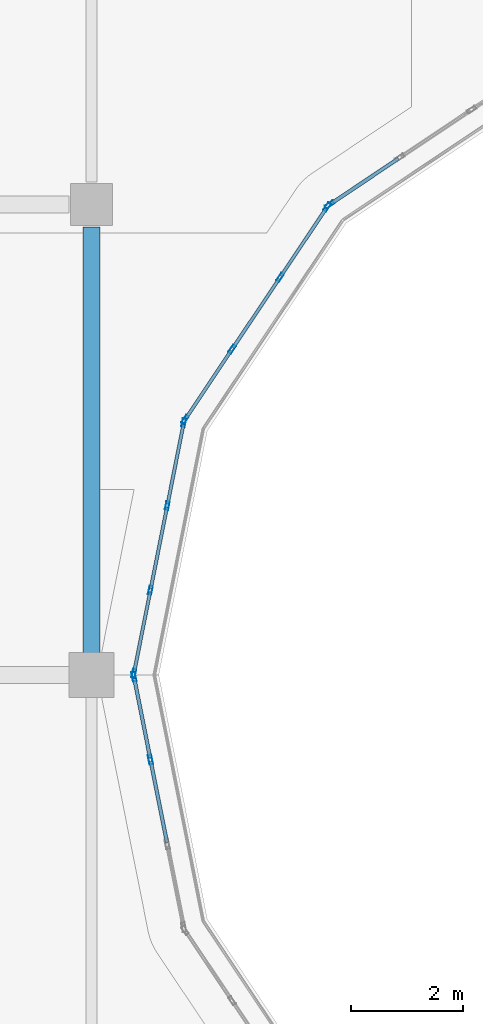
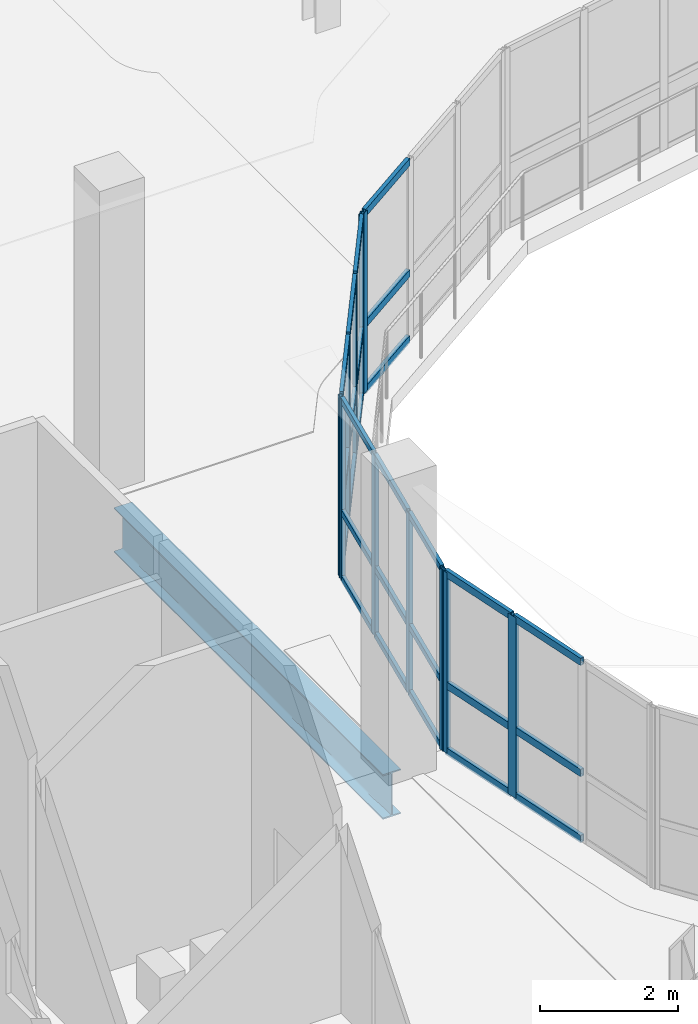
# One storey, part 21 of 110: 38 members, 1 beam, 4 elements without a shape of their own.
"""IFC4 building model written with IfcOpenShell, lengths in metres."""

from ifc_helpers import new_model, si_unit, direction, frame, origin, origin_2d, place, context, subcontext, project, spatial, hollow_rectangle, i_section, extrude, material, layer, layer_set, material_profile, profile_set, type_object, element, aggregate, save


model = new_model("IFC4")

# Units and contexts
model_context = context("Model", 3, precision=1e-05, world=origin(), true_north=direction((0.0, 1.0)))
body_context = subcontext(model_context, "Body", "Model", "MODEL_VIEW")
ifc_project = project(units=[si_unit("LENGTHUNIT", "METRE"), si_unit("AREAUNIT", "SQUARE_METRE"), si_unit("VOLUMEUNIT", "CUBIC_METRE"), si_unit("PLANEANGLEUNIT", "RADIAN"), si_unit("MASSUNIT", "GRAM", prefix="KILO"), si_unit("THERMODYNAMICTEMPERATUREUNIT", "KELVIN")], contexts=[model_context])

# Site, building, storey
site_placement = place(None, origin())
site = spatial("IfcSite", under=ifc_project, at=site_placement, CompositionType="ELEMENT")
building_placement = place(site_placement, origin())
building = spatial("IfcBuilding", under=site, at=building_placement, Name="Lustrewick Department Store", CompositionType="ELEMENT")
storey_placement = place(building_placement, frame((0.0, 0.0, 6.0)))
storey = spatial("IfcBuildingStorey", under=building, at=storey_placement, Name="L02", CompositionType="ELEMENT", Elevation=6.0)

# Curtain wall, member
ifc_material_1 = material(Name="Thermally broken aluminium 6063-T5", Category="aluminium")
ifc_layer_1 = layer(ifc_material_1, 0.169921875, Name="Thermally broken aluminium 6063-T5")
ifc_layer_set_1 = layer_set([ifc_layer_1], Name="Thermally broken aluminium 6063-T5")
curtain_wall_type_1 = type_object("IfcCurtainWallType", Name="CW16", PredefinedType="NOTDEFINED", material=ifc_layer_set_1)
curtain_wall_1_placement = place(storey_placement, origin())
curtain_wall_1 = element("IfcCurtainWall", 1, at=curtain_wall_1_placement, inside=storey, type_object=curtain_wall_type_1, Name="L02 Atrium Glazed Screen CW16", PredefinedType="NOTDEFINED")
ifc_material_profile_1 = material_profile(ifc_material_1, hollow_rectangle(XDim=0.06494140625, YDim=0.169921875, WallThickness=0.00390625, at=origin_2d()), Name="ALU-M 65x170x4")
ifc_profile_set_1 = profile_set([ifc_material_profile_1], Name="Thermally broken aluminium 6063-T5")
member_type_1 = type_object("IfcMemberType", Name="CW16-M1", PredefinedType="MULLION", material=ifc_profile_set_1)
member_1_placement = place(storey_placement, frame((21.0478515625, 75.59716796875, 0.0), z_axis=(0.0, 0.0, 1.0), x_axis=(0.555578313862, -0.831464212799, 0.0)))
member_1 = element("IfcMember", 2, at=member_1_placement, type_object=member_type_1, Name="CW16 mullion 4", PredefinedType="MULLION", context=body_context, shape_type="SweptSolid", body=[
    extrude(hollow_rectangle(XDim=0.06494140625, YDim=0.169921875, WallThickness=0.00390625, at=origin_2d()), origin(), (0.0, 0.0, 1.0), 3.199951171875),
])

# Curtain wall, members
curtain_wall_2_placement = place(storey_placement, origin())
curtain_wall_2 = element("IfcCurtainWall", 3, at=curtain_wall_2_placement, inside=storey, type_object=curtain_wall_type_1, Name="L02 Atrium Glazed Screen CW16", PredefinedType="NOTDEFINED")
member_2_placement = place(storey_placement, frame((17.556396484375, 67.168212890625, 0.0), z_axis=(0.0, 0.0, 1.0), x_axis=(0.980786430993, 0.195084537521, 0.0)))
member_2 = element("IfcMember", 4, at=member_2_placement, type_object=member_type_1, Name="CW16 mullion 1", PredefinedType="MULLION", context=body_context, shape_type="SweptSolid", body=[
    extrude(hollow_rectangle(XDim=0.06494140625, YDim=0.169921875, WallThickness=0.00390625, at=origin_2d()), origin(), (0.0, 0.0, 1.0), 3.199951171875),
])
member_3_placement = place(storey_placement, frame((17.8505859375, 65.6884765625, 0.0), z_axis=(0.0, 0.0, 1.0), x_axis=(0.980786430993, 0.195084537521, 0.0)))
member_3 = element("IfcMember", 5, at=member_3_placement, type_object=member_type_1, Name="CW16 mullion 2", PredefinedType="MULLION", context=body_context, shape_type="SweptSolid", body=[
    extrude(hollow_rectangle(XDim=0.06494140625, YDim=0.169921875, WallThickness=0.00390625, at=origin_2d()), origin(), (0.0, 0.0, 1.0), 3.199951171875),
])

# Member
ifc_material_profile_2 = material_profile(ifc_material_1, hollow_rectangle(XDim=0.06494140625, YDim=0.1298828125, WallThickness=0.00341796875, at=origin_2d()), Name="ALU-T 65x130x3.5")
ifc_profile_set_2 = profile_set([ifc_material_profile_2], Name="Thermally broken aluminium 6063-T5")
member_type_2 = type_object("IfcMemberType", Name="CW16-T1", PredefinedType="USERDEFINED", material=ifc_profile_set_2)
member_4_placement = place(storey_placement, frame((22.275146484375, 76.41748046875, 0.032470703125), z_axis=(-0.831373212471, -0.555714478474, 0.0), x_axis=(0.555714478474, -0.831373212471, 0.0)))
member_4 = element("IfcMember", 6, at=member_4_placement, type_object=member_type_2, Name="CW16 transom 3.1", ObjectType="TRANSOM", PredefinedType="USERDEFINED", context=body_context, shape_type="SweptSolid", body=[
    extrude(hollow_rectangle(XDim=0.06494140625, YDim=0.1298828125, WallThickness=0.00341796875, at=origin_2d()), origin(), (0.0, 0.0, 1.0), 1.443603515625),
])

member_5_placement = place(storey_placement, frame((22.275146484375, 76.41748046875, 1.199951171875), z_axis=(-0.831373212471, -0.555714478474, 0.0), x_axis=(0.555714478474, -0.831373212471, 0.0)))
member_5 = element("IfcMember", 7, at=member_5_placement, type_object=member_type_2, Name="CW16 transom 3.2", ObjectType="TRANSOM", PredefinedType="USERDEFINED", context=body_context, shape_type="SweptSolid", body=[
    extrude(hollow_rectangle(XDim=0.06494140625, YDim=0.1298828125, WallThickness=0.00341796875, at=origin_2d()), origin(), (0.0, 0.0, 1.0), 1.443603515625),
])

member_6_placement = place(storey_placement, frame((22.275146484375, 76.41748046875, 3.16748046875), z_axis=(-0.831373212471, -0.555714478474, 0.0), x_axis=(0.555714478474, -0.831373212471, 0.0)))
member_6 = element("IfcMember", 8, at=member_6_placement, type_object=member_type_2, Name="CW16 transom 3.3", ObjectType="TRANSOM", PredefinedType="USERDEFINED", context=body_context, shape_type="SweptSolid", body=[
    extrude(hollow_rectangle(XDim=0.06494140625, YDim=0.1298828125, WallThickness=0.00341796875, at=origin_2d()), origin(), (0.0, 0.0, 1.0), 1.443603515625),
])

aggregate(curtain_wall_1, [member_1, member_4, member_5, member_6])

member_7_placement = place(storey_placement, frame((17.562744140625, 67.13623046875, 0.032470703125), z_axis=(0.19497779785, -0.980807656141, 0.0), x_axis=(0.980807656141, 0.19497779785, 0.0)))
member_7 = element("IfcMember", 9, at=member_7_placement, type_object=member_type_2, Name="CW16 transom 1.1", ObjectType="TRANSOM", PredefinedType="USERDEFINED", context=body_context, shape_type="SweptSolid", body=[
    extrude(hollow_rectangle(XDim=0.06494140625, YDim=0.1298828125, WallThickness=0.00341796875, at=origin_2d()), origin(), (0.0, 0.0, 1.0), 1.443603515625),
])

member_8_placement = place(storey_placement, frame((17.562744140625, 67.13623046875, 1.199951171875), z_axis=(0.19497779785, -0.980807656141, 0.0), x_axis=(0.980807656141, 0.19497779785, 0.0)))
member_8 = element("IfcMember", 10, at=member_8_placement, type_object=member_type_2, Name="CW16 transom 1.2", ObjectType="TRANSOM", PredefinedType="USERDEFINED", context=body_context, shape_type="SweptSolid", body=[
    extrude(hollow_rectangle(XDim=0.06494140625, YDim=0.1298828125, WallThickness=0.00341796875, at=origin_2d()), origin(), (0.0, 0.0, 1.0), 1.443603515625),
])

member_9_placement = place(storey_placement, frame((17.562744140625, 67.13623046875, 3.16748046875), z_axis=(0.19497779785, -0.980807656141, 0.0), x_axis=(0.980807656141, 0.19497779785, 0.0)))
member_9 = element("IfcMember", 11, at=member_9_placement, type_object=member_type_2, Name="CW16 transom 1.3", ObjectType="TRANSOM", PredefinedType="USERDEFINED", context=body_context, shape_type="SweptSolid", body=[
    extrude(hollow_rectangle(XDim=0.06494140625, YDim=0.1298828125, WallThickness=0.00341796875, at=origin_2d()), origin(), (0.0, 0.0, 1.0), 1.443603515625),
])

member_10_placement = place(storey_placement, frame((17.85693359375, 65.656494140625, 0.032470703125), z_axis=(0.195161861091, -0.980771047684, 0.0), x_axis=(0.980771047684, 0.195161861091, 0.0)))
member_10 = element("IfcMember", 12, at=member_10_placement, type_object=member_type_2, Name="CW16 transom 2.1", ObjectType="TRANSOM", PredefinedType="USERDEFINED", context=body_context, shape_type="SweptSolid", body=[
    extrude(hollow_rectangle(XDim=0.06494140625, YDim=0.1298828125, WallThickness=0.00341796875, at=origin_2d()), origin(), (0.0, 0.0, 1.0), 1.47607421875),
])

member_11_placement = place(storey_placement, frame((17.85693359375, 65.656494140625, 1.199951171875), z_axis=(0.195161861091, -0.980771047684, 0.0), x_axis=(0.980771047684, 0.195161861091, 0.0)))
member_11 = element("IfcMember", 13, at=member_11_placement, type_object=member_type_2, Name="CW16 transom 2.2", ObjectType="TRANSOM", PredefinedType="USERDEFINED", context=body_context, shape_type="SweptSolid", body=[
    extrude(hollow_rectangle(XDim=0.06494140625, YDim=0.1298828125, WallThickness=0.00341796875, at=origin_2d()), origin(), (0.0, 0.0, 1.0), 1.47607421875),
])

member_12_placement = place(storey_placement, frame((17.85693359375, 65.656494140625, 3.16748046875), z_axis=(0.195161861091, -0.980771047684, 0.0), x_axis=(0.980771047684, 0.195161861091, 0.0)))
member_12 = element("IfcMember", 14, at=member_12_placement, type_object=member_type_2, Name="CW16 transom 2.3", ObjectType="TRANSOM", PredefinedType="USERDEFINED", context=body_context, shape_type="SweptSolid", body=[
    extrude(hollow_rectangle(XDim=0.06494140625, YDim=0.1298828125, WallThickness=0.00341796875, at=origin_2d()), origin(), (0.0, 0.0, 1.0), 1.47607421875),
])

aggregate(curtain_wall_2, [member_2, member_3, member_7, member_8, member_9, member_10, member_11, member_12])

# Curtain wall, members
ifc_layer_2 = layer(ifc_material_1, 0.159912109375, Name="Thermally broken aluminium 6063-T5")
ifc_layer_set_2 = layer_set([ifc_layer_2], Name="Thermally broken aluminium 6063-T5")
curtain_wall_type_2 = type_object("IfcCurtainWallType", Name="CW17", PredefinedType="NOTDEFINED", material=ifc_layer_set_2)
curtain_wall_3_placement = place(storey_placement, origin())
curtain_wall_3 = element("IfcCurtainWall", 15, at=curtain_wall_3_placement, inside=storey, type_object=curtain_wall_type_2, Name="L02 Atrium Glazed Screen CW17", PredefinedType="NOTDEFINED")
ifc_material_profile_3 = material_profile(ifc_material_1, hollow_rectangle(XDim=0.06005859375, YDim=0.159912109375, WallThickness=0.00390625, at=origin_2d()), Name="ALU-M 60x160x4")
ifc_profile_set_3 = profile_set([ifc_material_profile_3], Name="Thermally broken aluminium 6063-T5")
member_type_3 = type_object("IfcMemberType", Name="CW17-M1", PredefinedType="MULLION", material=ifc_profile_set_3)
member_13_placement = place(storey_placement, frame((21.004150390625, 75.55419921875, 0.0), z_axis=(0.0, 0.0, 1.0), x_axis=(0.831464212799, -0.555578313862, 0.0)))
member_13 = element("IfcMember", 16, at=member_13_placement, type_object=member_type_3, Name="CW17 mullion 1", PredefinedType="MULLION", context=body_context, shape_type="SweptSolid", body=[
    extrude(hollow_rectangle(XDim=0.06005859375, YDim=0.159912109375, WallThickness=0.00390625, at=origin_2d()), origin(), (0.0, 0.0, 1.0), 3.199951171875),
])
member_14_placement = place(storey_placement, frame((20.16455078125, 74.2978515625, 0.0), z_axis=(0.0, 0.0, 1.0), x_axis=(0.831464212799, -0.555578313862, 0.0)))
member_14 = element("IfcMember", 17, at=member_14_placement, type_object=member_type_3, Name="CW17 mullion 2", PredefinedType="MULLION", context=body_context, shape_type="SweptSolid", body=[
    extrude(hollow_rectangle(XDim=0.06005859375, YDim=0.159912109375, WallThickness=0.00390625, at=origin_2d()), origin(), (0.0, 0.0, 1.0), 3.199951171875),
])
member_15_placement = place(storey_placement, frame((19.308349609375, 73.016357421875, 0.0), z_axis=(0.0, 0.0, 1.0), x_axis=(0.831464212799, -0.555578313862, 0.0)))
member_15 = element("IfcMember", 18, at=member_15_placement, type_object=member_type_3, Name="CW17 mullion 3", PredefinedType="MULLION", context=body_context, shape_type="SweptSolid", body=[
    extrude(hollow_rectangle(XDim=0.06005859375, YDim=0.159912109375, WallThickness=0.00390625, at=origin_2d()), origin(), (0.0, 0.0, 1.0), 3.199951171875),
])
member_16_placement = place(storey_placement, frame((18.46875, 71.759765625, 0.0), z_axis=(0.0, 0.0, 1.0), x_axis=(0.831464212799, -0.555578313862, 0.0)))
member_16 = element("IfcMember", 19, at=member_16_placement, type_object=member_type_3, Name="CW17 mullion 4", PredefinedType="MULLION", context=body_context, shape_type="SweptSolid", body=[
    extrude(hollow_rectangle(XDim=0.06005859375, YDim=0.159912109375, WallThickness=0.00390625, at=origin_2d()), origin(), (0.0, 0.0, 1.0), 3.199951171875),
])
ifc_material_profile_4 = material_profile(ifc_material_1, hollow_rectangle(XDim=0.06005859375, YDim=0.1201171875, WallThickness=0.00341796875, at=origin_2d()), Name="ALU-T 60x120x3.5")
ifc_profile_set_4 = profile_set([ifc_material_profile_4], Name="Thermally broken aluminium 6063-T5")
member_type_4 = type_object("IfcMemberType", Name="CW17-T1", PredefinedType="USERDEFINED", material=ifc_profile_set_4)
member_17_placement = place(storey_placement, frame((20.987548828125, 75.529296875, 0.030029296875), z_axis=(-0.555670388234, -0.831402682002, 0.0), x_axis=(0.831402682002, -0.555670388234, 0.0)))
member_17 = element("IfcMember", 20, at=member_17_placement, type_object=member_type_4, Name="CW17 transom 1.1", ObjectType="TRANSOM", PredefinedType="USERDEFINED", context=body_context, shape_type="SweptSolid", body=[
    extrude(hollow_rectangle(XDim=0.06005859375, YDim=0.1201171875, WallThickness=0.00341796875, at=origin_2d()), origin(), (0.0, 0.0, 1.0), 1.451171875),
])
member_18_placement = place(storey_placement, frame((20.987548828125, 75.529296875, 1.199951171875), z_axis=(-0.555670388234, -0.831402682002, 0.0), x_axis=(0.831402682002, -0.555670388234, 0.0)))
member_18 = element("IfcMember", 21, at=member_18_placement, type_object=member_type_4, Name="CW17 transom 1.2", ObjectType="TRANSOM", PredefinedType="USERDEFINED", context=body_context, shape_type="SweptSolid", body=[
    extrude(hollow_rectangle(XDim=0.06005859375, YDim=0.1201171875, WallThickness=0.00341796875, at=origin_2d()), origin(), (0.0, 0.0, 1.0), 1.451171875),
])
member_19_placement = place(storey_placement, frame((20.987548828125, 75.529296875, 3.169921875), z_axis=(-0.555670388234, -0.831402682002, 0.0), x_axis=(0.831402682002, -0.555670388234, 0.0)))
member_19 = element("IfcMember", 22, at=member_19_placement, type_object=member_type_4, Name="CW17 transom 1.3", ObjectType="TRANSOM", PredefinedType="USERDEFINED", context=body_context, shape_type="SweptSolid", body=[
    extrude(hollow_rectangle(XDim=0.06005859375, YDim=0.1201171875, WallThickness=0.00341796875, at=origin_2d()), origin(), (0.0, 0.0, 1.0), 1.451171875),
])
member_20_placement = place(storey_placement, frame((20.14794921875, 74.272705078125, 0.030029296875), z_axis=(-0.555650791413, -0.83141577926, 0.0), x_axis=(0.83141577926, -0.555650791413, 0.0)))
member_20 = element("IfcMember", 23, at=member_20_placement, type_object=member_type_4, Name="CW17 transom 2.1", ObjectType="TRANSOM", PredefinedType="USERDEFINED", context=body_context, shape_type="SweptSolid", body=[
    extrude(hollow_rectangle(XDim=0.06005859375, YDim=0.1201171875, WallThickness=0.00341796875, at=origin_2d()), origin(), (0.0, 0.0, 1.0), 1.481201171875),
])
member_21_placement = place(storey_placement, frame((20.14794921875, 74.272705078125, 1.199951171875), z_axis=(-0.555650791413, -0.83141577926, 0.0), x_axis=(0.83141577926, -0.555650791413, 0.0)))
member_21 = element("IfcMember", 24, at=member_21_placement, type_object=member_type_4, Name="CW17 transom 2.2", ObjectType="TRANSOM", PredefinedType="USERDEFINED", context=body_context, shape_type="SweptSolid", body=[
    extrude(hollow_rectangle(XDim=0.06005859375, YDim=0.1201171875, WallThickness=0.00341796875, at=origin_2d()), origin(), (0.0, 0.0, 1.0), 1.481201171875),
])
member_22_placement = place(storey_placement, frame((20.14794921875, 74.272705078125, 3.169921875), z_axis=(-0.555650791413, -0.83141577926, 0.0), x_axis=(0.83141577926, -0.555650791413, 0.0)))
member_22 = element("IfcMember", 25, at=member_22_placement, type_object=member_type_4, Name="CW17 transom 2.3", ObjectType="TRANSOM", PredefinedType="USERDEFINED", context=body_context, shape_type="SweptSolid", body=[
    extrude(hollow_rectangle(XDim=0.06005859375, YDim=0.1201171875, WallThickness=0.00341796875, at=origin_2d()), origin(), (0.0, 0.0, 1.0), 1.481201171875),
])
member_23_placement = place(storey_placement, frame((19.29150390625, 72.9912109375, 0.030029296875), z_axis=(-0.555554084832, -0.83148040195, 0.0), x_axis=(0.83148040195, -0.555554084832, 0.0)))
member_23 = element("IfcMember", 26, at=member_23_placement, type_object=member_type_4, Name="CW17 transom 3.1", ObjectType="TRANSOM", PredefinedType="USERDEFINED", context=body_context, shape_type="SweptSolid", body=[
    extrude(hollow_rectangle(XDim=0.06005859375, YDim=0.1201171875, WallThickness=0.00341796875, at=origin_2d()), origin(), (0.0, 0.0, 1.0), 1.451171875),
])
member_24_placement = place(storey_placement, frame((19.29150390625, 72.9912109375, 1.199951171875), z_axis=(-0.555554084832, -0.83148040195, 0.0), x_axis=(0.83148040195, -0.555554084832, 0.0)))
member_24 = element("IfcMember", 27, at=member_24_placement, type_object=member_type_4, Name="CW17 transom 3.2", ObjectType="TRANSOM", PredefinedType="USERDEFINED", context=body_context, shape_type="SweptSolid", body=[
    extrude(hollow_rectangle(XDim=0.06005859375, YDim=0.1201171875, WallThickness=0.00341796875, at=origin_2d()), origin(), (0.0, 0.0, 1.0), 1.451171875),
])
member_25_placement = place(storey_placement, frame((19.29150390625, 72.9912109375, 3.169921875), z_axis=(-0.555554084832, -0.83148040195, 0.0), x_axis=(0.83148040195, -0.555554084832, 0.0)))
member_25 = element("IfcMember", 28, at=member_25_placement, type_object=member_type_4, Name="CW17 transom 3.3", ObjectType="TRANSOM", PredefinedType="USERDEFINED", context=body_context, shape_type="SweptSolid", body=[
    extrude(hollow_rectangle(XDim=0.06005859375, YDim=0.1201171875, WallThickness=0.00341796875, at=origin_2d()), origin(), (0.0, 0.0, 1.0), 1.451171875),
])
aggregate(curtain_wall_3, [member_13, member_14, member_15, member_16, member_17, member_18, member_19, member_20, member_21, member_22, member_23, member_24, member_25])

ifc_layer_3 = layer(ifc_material_1, 0.14990234375, Name="Thermally broken aluminium 6063-T5")
ifc_layer_set_3 = layer_set([ifc_layer_3], Name="Thermally broken aluminium 6063-T5")
curtain_wall_type_3 = type_object("IfcCurtainWallType", Name="CW18", PredefinedType="NOTDEFINED", material=ifc_layer_set_3)
curtain_wall_4_placement = place(storey_placement, origin())
curtain_wall_4 = element("IfcCurtainWall", 29, at=curtain_wall_4_placement, inside=storey, type_object=curtain_wall_type_3, Name="L02 Atrium Glazed Screen CW18", PredefinedType="NOTDEFINED")
ifc_material_profile_5 = material_profile(ifc_material_1, hollow_rectangle(XDim=0.06005859375, YDim=0.14990234375, WallThickness=0.00341796875, at=origin_2d()), Name="ALU-M 60x150x3.5")
ifc_profile_set_5 = profile_set([ifc_material_profile_5], Name="Thermally broken aluminium 6063-T5")
member_type_5 = type_object("IfcMemberType", Name="CW18-M1", PredefinedType="MULLION", material=ifc_profile_set_5)
member_26_placement = place(storey_placement, frame((18.446044921875, 71.705322265625, 0.0), z_axis=(0.0, 0.0, 1.0), x_axis=(0.980786430993, -0.195084537521, 0.0)))
member_26 = element("IfcMember", 30, at=member_26_placement, type_object=member_type_5, Name="CW18 mullion 1", PredefinedType="MULLION", context=body_context, shape_type="SweptSolid", body=[
    extrude(hollow_rectangle(XDim=0.06005859375, YDim=0.14990234375, WallThickness=0.00341796875, at=origin_2d()), origin(), (0.0, 0.0, 1.0), 3.199951171875),
])
member_27_placement = place(storey_placement, frame((18.1513671875, 70.22314453125, 0.0), z_axis=(0.0, 0.0, 1.0), x_axis=(0.980786430993, -0.195084537521, 0.0)))
member_27 = element("IfcMember", 31, at=member_27_placement, type_object=member_type_5, Name="CW18 mullion 2", PredefinedType="MULLION", context=body_context, shape_type="SweptSolid", body=[
    extrude(hollow_rectangle(XDim=0.06005859375, YDim=0.14990234375, WallThickness=0.00341796875, at=origin_2d()), origin(), (0.0, 0.0, 1.0), 3.199951171875),
])
member_28_placement = place(storey_placement, frame((17.8505859375, 68.711669921875, 0.0), z_axis=(0.0, 0.0, 1.0), x_axis=(0.980786430993, -0.195084537521, 0.0)))
member_28 = element("IfcMember", 32, at=member_28_placement, type_object=member_type_5, Name="CW18 mullion 3", PredefinedType="MULLION", context=body_context, shape_type="SweptSolid", body=[
    extrude(hollow_rectangle(XDim=0.06005859375, YDim=0.14990234375, WallThickness=0.00341796875, at=origin_2d()), origin(), (0.0, 0.0, 1.0), 3.199951171875),
])
member_29_placement = place(storey_placement, frame((17.555908203125, 67.2294921875, 0.0), z_axis=(0.0, 0.0, 1.0), x_axis=(0.980786430993, -0.195084537521, 0.0)))
member_29 = element("IfcMember", 33, at=member_29_placement, type_object=member_type_5, Name="CW18 mullion 4", PredefinedType="MULLION", context=body_context, shape_type="SweptSolid", body=[
    extrude(hollow_rectangle(XDim=0.06005859375, YDim=0.14990234375, WallThickness=0.00341796875, at=origin_2d()), origin(), (0.0, 0.0, 1.0), 3.199951171875),
])
ifc_material_profile_6 = material_profile(ifc_material_1, hollow_rectangle(XDim=0.06005859375, YDim=0.110107421875, WallThickness=0.0029296875, at=origin_2d()), Name="ALU-T 60x110x3")
ifc_profile_set_6 = profile_set([ifc_material_profile_6], Name="Thermally broken aluminium 6063-T5")
member_type_6 = type_object("IfcMemberType", Name="CW18-T1", PredefinedType="USERDEFINED", material=ifc_profile_set_6)
member_30_placement = place(storey_placement, frame((18.440185546875, 71.676025390625, 0.030029296875), z_axis=(-0.194983657525, -0.98080649126, 0.0), x_axis=(0.98080649126, -0.194983657525, 0.0)))
member_30 = element("IfcMember", 34, at=member_30_placement, type_object=member_type_6, Name="CW18 transom 1.1", ObjectType="TRANSOM", PredefinedType="USERDEFINED", context=body_context, shape_type="SweptSolid", body=[
    extrude(hollow_rectangle(XDim=0.06005859375, YDim=0.110107421875, WallThickness=0.0029296875, at=origin_2d()), origin(), (0.0, 0.0, 1.0), 1.451171875),
])
member_31_placement = place(storey_placement, frame((18.440185546875, 71.676025390625, 1.199951171875), z_axis=(-0.194983657525, -0.98080649126, 0.0), x_axis=(0.98080649126, -0.194983657525, 0.0)))
member_31 = element("IfcMember", 35, at=member_31_placement, type_object=member_type_6, Name="CW18 transom 1.2", ObjectType="TRANSOM", PredefinedType="USERDEFINED", context=body_context, shape_type="SweptSolid", body=[
    extrude(hollow_rectangle(XDim=0.06005859375, YDim=0.110107421875, WallThickness=0.0029296875, at=origin_2d()), origin(), (0.0, 0.0, 1.0), 1.451171875),
])
member_32_placement = place(storey_placement, frame((18.440185546875, 71.676025390625, 3.169921875), z_axis=(-0.194983657525, -0.98080649126, 0.0), x_axis=(0.98080649126, -0.194983657525, 0.0)))
member_32 = element("IfcMember", 36, at=member_32_placement, type_object=member_type_6, Name="CW18 transom 1.3", ObjectType="TRANSOM", PredefinedType="USERDEFINED", context=body_context, shape_type="SweptSolid", body=[
    extrude(hollow_rectangle(XDim=0.06005859375, YDim=0.110107421875, WallThickness=0.0029296875, at=origin_2d()), origin(), (0.0, 0.0, 1.0), 1.451171875),
])
member_33_placement = place(storey_placement, frame((18.1455078125, 70.19384765625, 0.030029296875), z_axis=(-0.195133523177, -0.980776686169, 0.0), x_axis=(0.980776686169, -0.195133523177, 0.0)))
member_33 = element("IfcMember", 37, at=member_33_placement, type_object=member_type_6, Name="CW18 transom 2.1", ObjectType="TRANSOM", PredefinedType="USERDEFINED", context=body_context, shape_type="SweptSolid", body=[
    extrude(hollow_rectangle(XDim=0.06005859375, YDim=0.110107421875, WallThickness=0.0029296875, at=origin_2d()), origin(), (0.0, 0.0, 1.0), 1.4814453125),
])
member_34_placement = place(storey_placement, frame((18.1455078125, 70.19384765625, 1.199951171875), z_axis=(-0.195133523177, -0.980776686169, 0.0), x_axis=(0.980776686169, -0.195133523177, 0.0)))
member_34 = element("IfcMember", 38, at=member_34_placement, type_object=member_type_6, Name="CW18 transom 2.2", ObjectType="TRANSOM", PredefinedType="USERDEFINED", context=body_context, shape_type="SweptSolid", body=[
    extrude(hollow_rectangle(XDim=0.06005859375, YDim=0.110107421875, WallThickness=0.0029296875, at=origin_2d()), origin(), (0.0, 0.0, 1.0), 1.4814453125),
])
member_35_placement = place(storey_placement, frame((18.1455078125, 70.19384765625, 3.169921875), z_axis=(-0.195133523177, -0.980776686169, 0.0), x_axis=(0.980776686169, -0.195133523177, 0.0)))
member_35 = element("IfcMember", 39, at=member_35_placement, type_object=member_type_6, Name="CW18 transom 2.3", ObjectType="TRANSOM", PredefinedType="USERDEFINED", context=body_context, shape_type="SweptSolid", body=[
    extrude(hollow_rectangle(XDim=0.06005859375, YDim=0.110107421875, WallThickness=0.0029296875, at=origin_2d()), origin(), (0.0, 0.0, 1.0), 1.4814453125),
])
member_36_placement = place(storey_placement, frame((17.8447265625, 68.68212890625, 0.030029296875), z_axis=(-0.194983657525, -0.98080649126, 0.0), x_axis=(0.98080649126, -0.194983657525, 0.0)))
member_36 = element("IfcMember", 40, at=member_36_placement, type_object=member_type_6, Name="CW18 transom 3.1", ObjectType="TRANSOM", PredefinedType="USERDEFINED", context=body_context, shape_type="SweptSolid", body=[
    extrude(hollow_rectangle(XDim=0.06005859375, YDim=0.110107421875, WallThickness=0.0029296875, at=origin_2d()), origin(), (0.0, 0.0, 1.0), 1.451171875),
])
member_37_placement = place(storey_placement, frame((17.8447265625, 68.68212890625, 1.199951171875), z_axis=(-0.194983657525, -0.98080649126, 0.0), x_axis=(0.98080649126, -0.194983657525, 0.0)))
member_37 = element("IfcMember", 41, at=member_37_placement, type_object=member_type_6, Name="CW18 transom 3.2", ObjectType="TRANSOM", PredefinedType="USERDEFINED", context=body_context, shape_type="SweptSolid", body=[
    extrude(hollow_rectangle(XDim=0.06005859375, YDim=0.110107421875, WallThickness=0.0029296875, at=origin_2d()), origin(), (0.0, 0.0, 1.0), 1.451171875),
])
member_38_placement = place(storey_placement, frame((17.8447265625, 68.68212890625, 3.169921875), z_axis=(-0.194983657525, -0.98080649126, 0.0), x_axis=(0.98080649126, -0.194983657525, 0.0)))
member_38 = element("IfcMember", 42, at=member_38_placement, type_object=member_type_6, Name="CW18 transom 3.3", ObjectType="TRANSOM", PredefinedType="USERDEFINED", context=body_context, shape_type="SweptSolid", body=[
    extrude(hollow_rectangle(XDim=0.06005859375, YDim=0.110107421875, WallThickness=0.0029296875, at=origin_2d()), origin(), (0.0, 0.0, 1.0), 1.451171875),
])
aggregate(curtain_wall_4, [member_26, member_27, member_28, member_29, member_30, member_31, member_32, member_33, member_34, member_35, member_36, member_37, member_38])

# Beam
ifc_material_2 = material(Name="Structural steel Q355B", Category="steel")
ifc_material_profile_7 = material_profile(ifc_material_2, i_section(OverallWidth=0.300048828125, OverallDepth=0.7919921875, WebThickness=0.013916015625, FlangeThickness=0.02197265625, FilletRadius=0.02197265625, at=origin_2d()), Name="HN 792x300x14x22")
ifc_profile_set_7 = profile_set([ifc_material_profile_7], Name="Structural steel Q355B")
beam_type = type_object("IfcBeamType", Name="G06", PredefinedType="BEAM", material=ifc_profile_set_7)
beam_placement = place(storey_placement, frame((16.800048828125, 67.39990234375, -0.65087890625), z_axis=(0.0, 1.0, 0.0), x_axis=(-1.0, 0.0, 0.0)))
element("IfcBeam", 43, at=beam_placement, inside=storey, type_object=beam_type, Name="L02 V1 Girder G06", PredefinedType="BEAM", context=body_context, shape_type="SweptSolid", body=[
    extrude(i_section(OverallWidth=0.300048828125, OverallDepth=0.7919921875, WebThickness=0.013916015625, FlangeThickness=0.02197265625, FilletRadius=0.02197265625, at=origin_2d()), origin(), (0.0, 0.0, 1.0), 7.800048828125),
])

save(model, "model.ifc")
